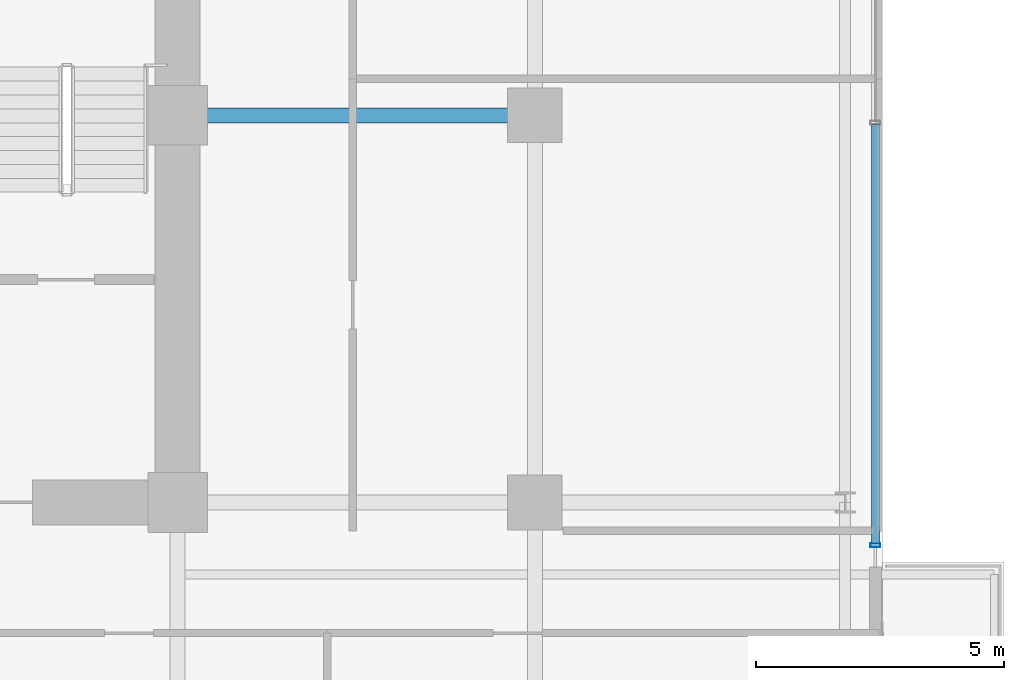
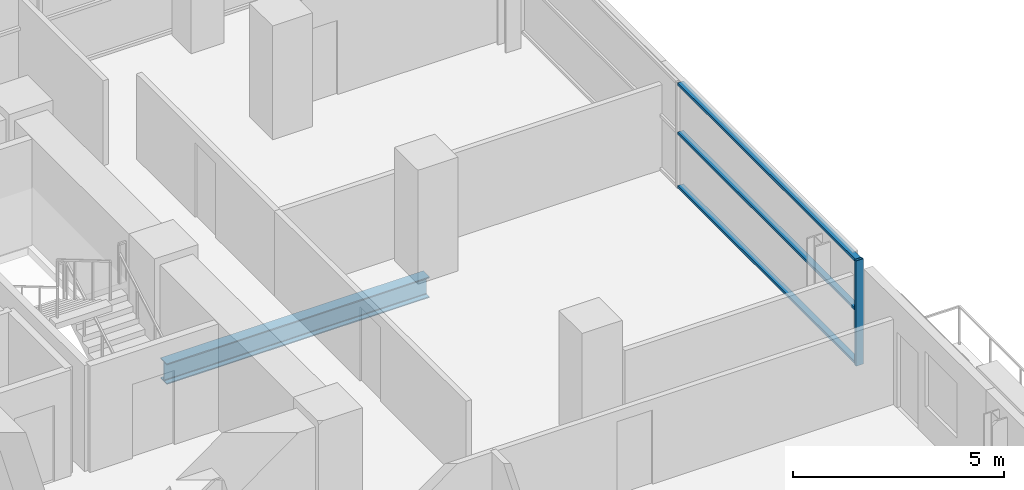
# One storey, part 14 of 29: 4 members, 1 beam, 1 element without a shape of its own.
"""IFC4 building model written with IfcOpenShell, lengths in metres."""

from ifc_helpers import new_model, si_unit, direction, frame, origin, origin_2d, place, context, subcontext, project, spatial, hollow_rectangle, i_section, extrude, source, transform, mapped, material, layer, layer_set, material_profile, profile_set, type_object, element, aggregate, save


model = new_model("IFC4")

# Units and contexts
model_context = context("Model", 3, precision=1e-05, world=origin(), true_north=direction((0.0, 1.0)))
body_context = subcontext(model_context, "Body", "Model", "MODEL_VIEW")
ifc_project = project(units=[si_unit("LENGTHUNIT", "METRE"), si_unit("AREAUNIT", "SQUARE_METRE"), si_unit("VOLUMEUNIT", "CUBIC_METRE"), si_unit("PLANEANGLEUNIT", "RADIAN"), si_unit("MASSUNIT", "GRAM", prefix="KILO")], contexts=[model_context])

# Site, building, storey
site_placement = place(None, origin())
site = spatial("IfcSite", under=ifc_project, at=site_placement, CompositionType="ELEMENT")
building_placement = place(site_placement, origin())
building = spatial("IfcBuilding", under=site, at=building_placement, Name="Zarnakvel Exchange Tower", CompositionType="ELEMENT")
storey_placement = place(building_placement, frame((0.0, 0.0, 37.300048828125)))
storey = spatial("IfcBuildingStorey", under=building, at=storey_placement, Name="L09", CompositionType="ELEMENT", Elevation=37.300048828125)

# Beam
ifc_material_1 = material(Name="Steel S355", Category="steel")
ifc_material_profile_1 = material_profile(ifc_material_1, i_section(OverallWidth=0.300048828125, OverallDepth=0.60009765625, WebThickness=0.015380859375, FlangeThickness=0.030029296875, FilletRadius=0.027099609375, at=origin_2d()))
ifc_profile_set_1 = profile_set([ifc_material_profile_1], Name="Steel S355")
beam_type = type_object("IfcBeamType", Name="G-04", PredefinedType="BEAM", material=ifc_profile_set_1)
beam_placement = place(storey_placement, frame((14.39990234375, 6.60009765625, -0.525146484375), z_axis=(1.0, 0.0, 0.0), x_axis=(0.0, 1.0, 0.0)))
element("IfcBeam", 1, at=beam_placement, inside=storey, type_object=beam_type, Name="L09 Tower E-W Frame Beam", PredefinedType="BEAM", context=body_context, shape_type="SweptSolid", body=[
    extrude(i_section(OverallWidth=0.300048828125, OverallDepth=0.60009765625, WebThickness=0.015380859375, FlangeThickness=0.030029296875, FilletRadius=0.027099609375, at=origin_2d()), origin(), (0.0, 0.0, 1.0), 7.2001953125),
])

# Curtain wall, members
ifc_material_2 = material(Name="Architectural Bronze Anodised Aluminium", Category="aluminium")
ifc_layer = layer(ifc_material_2, 0.199951171875)
ifc_layer_set = layer_set([ifc_layer], Name="Architectural Bronze Anodised Aluminium")
curtain_wall_type = type_object("IfcCurtainWallType", Name="CW-04", PredefinedType="NOTDEFINED", material=ifc_layer_set)
curtain_wall_placement = place(storey_placement, origin())
curtain_wall = element("IfcCurtainWall", 2, at=curtain_wall_placement, inside=storey, type_object=curtain_wall_type, Name="L09 Curtain Wall CW-L09-EN (CW-04)", PredefinedType="NOTDEFINED")
ifc_material_profile_2 = material_profile(ifc_material_2, hollow_rectangle(XDim=0.159912109375, YDim=0.074951171875, WallThickness=0.00390625, at=origin_2d()))
ifc_profile_set_2 = profile_set([ifc_material_profile_2], Name="Architectural Bronze Anodised Aluminium")
member_type_1 = type_object("IfcMemberType", Name="CWT-04", PredefinedType="USERDEFINED", material=ifc_profile_set_2)
shared_shape_1 = source(origin(), body_context, "Body", "SweptSolid", [
    extrude(hollow_rectangle(XDim=0.159912109375, YDim=0.074951171875, WallThickness=0.00390625, at=origin_2d()), origin(), (0.0, 0.0, 1.0), 8.4375),
])
member_1_placement = place(storey_placement, frame((28.4599609375, -2.02490234375, 0.037353515625), z_axis=(0.0, 1.0, 0.0), x_axis=(-1.0, 0.0, 0.0)))
member_1 = element("IfcMember", 3, at=member_1_placement, type_object=member_type_1, Name="CW-04 transom 1.1", ObjectType="TRANSOM", PredefinedType="USERDEFINED", context=body_context, shape_type="MappedRepresentation", body=[
    mapped(shared_shape_1, transform((0.0, 0.0, 0.0), x_axis=(1.0, 0.0, 0.0), y_axis=(0.0, 1.0, 0.0), z_axis=(0.0, 0.0, 1.0), scale=1.0)),
])
member_2_placement = place(storey_placement, frame((28.4599609375, -2.02490234375, 1.588623046875), z_axis=(0.0, 1.0, 0.0), x_axis=(-1.0, 0.0, 0.0)))
member_2 = element("IfcMember", 4, at=member_2_placement, type_object=member_type_1, Name="CW-04 transom 1.2", ObjectType="TRANSOM", PredefinedType="USERDEFINED", context=body_context, shape_type="MappedRepresentation", body=[
    mapped(shared_shape_1, transform((0.0, 0.0, 0.0), x_axis=(1.0, 0.0, 0.0), y_axis=(0.0, 1.0, 0.0), z_axis=(0.0, 0.0, 1.0), scale=1.0)),
])
member_3_placement = place(storey_placement, frame((28.4599609375, -2.02490234375, 3.017333984375), z_axis=(0.0, 1.0, 0.0), x_axis=(-1.0, 0.0, 0.0)))
member_3 = element("IfcMember", 5, at=member_3_placement, type_object=member_type_1, Name="CW-04 transom 1.3", ObjectType="TRANSOM", PredefinedType="USERDEFINED", context=body_context, shape_type="MappedRepresentation", body=[
    mapped(shared_shape_1, transform((0.0, 0.0, 0.0), x_axis=(1.0, 0.0, 0.0), y_axis=(0.0, 1.0, 0.0), z_axis=(0.0, 0.0, 1.0), scale=1.0)),
])
ifc_material_profile_3 = material_profile(ifc_material_2, hollow_rectangle(XDim=0.199951171875, YDim=0.074951171875, WallThickness=0.0048828125, at=origin_2d()))
ifc_profile_set_3 = profile_set([ifc_material_profile_3], Name="Architectural Bronze Anodised Aluminium")
member_type_2 = type_object("IfcMemberType", Name="CWM-04", PredefinedType="MULLION", material=ifc_profile_set_3)
shared_shape_2 = source(origin(), body_context, "Body", "SweptSolid", [
    extrude(hollow_rectangle(XDim=0.199951171875, YDim=0.074951171875, WallThickness=0.0048828125, at=origin_2d()), origin(), (0.0, 0.0, 1.0), 3.054931640625),
])
member_4_placement = place(storey_placement, frame((28.4599609375, -2.0625, 0.0), z_axis=(0.0, 0.0, 1.0), x_axis=(-1.0, 0.0, 0.0)))
member_4 = element("IfcMember", 6, at=member_4_placement, type_object=member_type_2, Name="CW-04 mullion 1", PredefinedType="MULLION", context=body_context, shape_type="MappedRepresentation", body=[
    mapped(shared_shape_2, transform((0.0, 0.0, 0.0), x_axis=(1.0, 0.0, 0.0), y_axis=(0.0, 1.0, 0.0), z_axis=(0.0, 0.0, 1.0), scale=1.0)),
])
aggregate(curtain_wall, [member_4, member_1, member_2, member_3])

save(model, "model.ifc")
